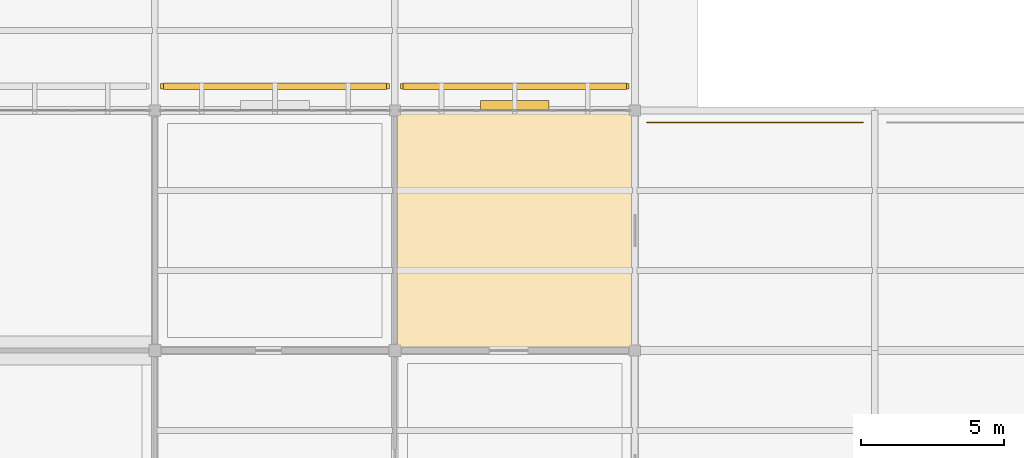
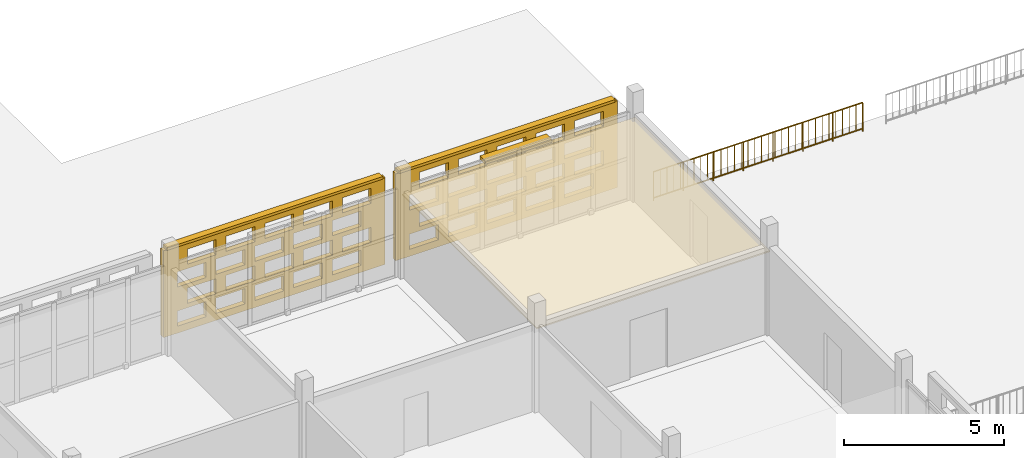
# One storey, part 123 of 166: 3 coverings, 3 shading devices, 1 railing, 40 openings.
"""IFC4 building model written with IfcOpenShell, lengths in metres."""

from ifc_helpers import new_model, si_unit, direction, frame, frame_2d, origin, origin_2d, place, context, subcontext, project, spatial, rectangle, circle, extrude, material, layer, layer_set, type_object, element, save


model = new_model("IFC4")

# Units and contexts
model_context = context("Model", 3, precision=1e-05, world=origin(), true_north=direction((0.0, 1.0)))
body_context = subcontext(model_context, "Body", "Model", "MODEL_VIEW")
ifc_project = project(units=[si_unit("LENGTHUNIT", "METRE"), si_unit("AREAUNIT", "SQUARE_METRE"), si_unit("VOLUMEUNIT", "CUBIC_METRE"), si_unit("PLANEANGLEUNIT", "RADIAN"), si_unit("MASSUNIT", "GRAM", prefix="KILO")], contexts=[model_context])

# Site, building, storey
site_placement = place(None, origin())
site = spatial("IfcSite", under=ifc_project, at=site_placement, CompositionType="ELEMENT")
building_placement = place(site_placement, origin())
building = spatial("IfcBuilding", under=site, at=building_placement, Name="Varnapada Polytechnic", CompositionType="ELEMENT")
storey_placement = place(building_placement, frame((0.0, 0.0, 9.60009765625)))
storey = spatial("IfcBuildingStorey", under=building, at=storey_placement, Name="L02", CompositionType="ELEMENT", Elevation=9.60009765625)

# Shading device
ifc_material_1 = material(Name="Anodised aluminium", Category="aluminium")
ifc_layer_1 = layer(ifc_material_1, 0.35009765625)
ifc_layer_set_1 = layer_set([ifc_layer_1], Name="Anodised aluminium")
shading_device_type_1 = type_object("IfcShadingDeviceType", Name="Solar Louvre LVR-01", PredefinedType="JALOUSIE", material=ifc_layer_set_1)
shading_device_placement = place(storey_placement, frame((54.594970703125, 42.179931640625, 3.159912109375), z_axis=(0.0, 0.0, 1.0), x_axis=(1.0, 0.0, 0.0)))
element("IfcShadingDevice", 1, at=shading_device_placement, inside=storey, type_object=shading_device_type_1, Name="L02 aluminium sun louvre 43", PredefinedType="JALOUSIE", context=body_context, shape_type="SweptSolid", body=[
    extrude(rectangle(XDim=2.39990234375, YDim=0.340087890625, at=origin_2d()), origin(), (0.0, 0.0, 1.0), 0.1201171875),
])

# Covering
ifc_material_2 = material(Name="Perforated Timber Slatted Baffle Ceiling", Category="wood")
ifc_layer_2 = layer(ifc_material_2, 0.050048828125)
ifc_layer_set_2 = layer_set([ifc_layer_2], Name="Perforated Timber Slatted Baffle Ceiling")
covering_type_1 = type_object("IfcCoveringType", Name="Suspended Ceiling CLG-02", PredefinedType="CEILING", material=ifc_layer_set_2)
covering_1_placement = place(storey_placement, frame((54.60009765625, 37.800048828125, 3.02490234375), z_axis=(0.0, 0.0, 1.0), x_axis=(1.0, 0.0, 0.0)))
element("IfcCovering", 2, at=covering_1_placement, inside=storey, type_object=covering_type_1, Name="L02 suspended acoustic ceiling (7,5)", PredefinedType="CEILING", context=body_context, shape_type="SweptSolid", body=[
    extrude(rectangle(XDim=8.419921875, YDim=8.419921875, at=origin_2d()), origin(), (0.0, 0.0, 1.0), 0.050048828125),
])

# Railing
ifc_material_3 = material(Name="Painted galvanized steel", Category="steel")
railing_type = type_object("IfcRailingType", Name="Terrace Guard Rail GRD-01", PredefinedType="BALUSTRADE", material=ifc_material_3)
railing_placement = place(storey_placement, frame((59.219970703125, 41.580078125, 0.0)))
element("IfcRailing", 3, at=railing_placement, inside=storey, type_object=railing_type, Name="L02 terrace perimeter guard rail 2", PredefinedType="BALUSTRADE", context=body_context, shape_type="SweptSolid", body=[
    extrude(circle(Radius=0.02392578125, at=origin_2d()), frame((0.0, 0.0, 1.09619140625), z_axis=(1.0, 0.0, 0.0), x_axis=(0.0, 1.0, 0.0)), (0.0, 0.0, 1.0), 7.56005859375),
    extrude(circle(Radius=0.02392578125, at=origin_2d()), frame((0.0, 0.0, 0.10009765625), z_axis=(1.0, 0.0, 0.0), x_axis=(0.0, 1.0, 0.0)), (0.0, 0.0, 1.0), 7.56005859375),
    extrude(circle(Radius=0.02099609375, at=origin_2d()), origin(), (0.0, 0.0, 1.0), 1.072021484375),
    extrude(circle(Radius=0.02099609375, at=origin_2d()), frame((1.080078125, 0.0, 0.0)), (0.0, 0.0, 1.0), 1.072021484375),
    extrude(circle(Radius=0.02099609375, at=origin_2d()), frame((2.159912109375, 0.0, 0.0)), (0.0, 0.0, 1.0), 1.072021484375),
    extrude(circle(Radius=0.02099609375, at=origin_2d()), frame((3.239990234375, 0.0, 0.0)), (0.0, 0.0, 1.0), 1.072021484375),
    extrude(circle(Radius=0.02099609375, at=origin_2d()), frame((4.320068359375, 0.0, 0.0)), (0.0, 0.0, 1.0), 1.072021484375),
    extrude(circle(Radius=0.02099609375, at=origin_2d()), frame((5.400146484375, 0.0, 0.0)), (0.0, 0.0, 1.0), 1.072021484375),
    extrude(circle(Radius=0.02099609375, at=origin_2d()), frame((6.47998046875, 0.0, 0.0)), (0.0, 0.0, 1.0), 1.072021484375),
    extrude(circle(Radius=0.02099609375, at=origin_2d()), frame((7.56005859375, 0.0, 0.0)), (0.0, 0.0, 1.0), 1.072021484375),
    extrude(circle(Radius=0.010009765625, at=origin_2d()), frame((0.243896484375, 0.0, 0.10009765625)), (0.0, 0.0, 1.0), 0.971923828125),
    extrude(circle(Radius=0.010009765625, at=origin_2d()), frame((0.48779296875, 0.0, 0.10009765625)), (0.0, 0.0, 1.0), 0.971923828125),
    extrude(circle(Radius=0.010009765625, at=origin_2d()), frame((0.731689453125, 0.0, 0.10009765625)), (0.0, 0.0, 1.0), 0.971923828125),
    extrude(circle(Radius=0.010009765625, at=origin_2d()), frame((0.9755859375, 0.0, 0.10009765625)), (0.0, 0.0, 1.0), 0.971923828125),
    extrude(circle(Radius=0.010009765625, at=origin_2d()), frame((1.219482421875, 0.0, 0.10009765625)), (0.0, 0.0, 1.0), 0.971923828125),
    extrude(circle(Radius=0.010009765625, at=origin_2d()), frame((1.463134765625, 0.0, 0.10009765625)), (0.0, 0.0, 1.0), 0.971923828125),
    extrude(circle(Radius=0.010009765625, at=origin_2d()), frame((1.70703125, 0.0, 0.10009765625)), (0.0, 0.0, 1.0), 0.971923828125),
    extrude(circle(Radius=0.010009765625, at=origin_2d()), frame((1.950927734375, 0.0, 0.10009765625)), (0.0, 0.0, 1.0), 0.971923828125),
    extrude(circle(Radius=0.010009765625, at=origin_2d()), frame((2.19482421875, 0.0, 0.10009765625)), (0.0, 0.0, 1.0), 0.971923828125),
    extrude(circle(Radius=0.010009765625, at=origin_2d()), frame((2.438720703125, 0.0, 0.10009765625)), (0.0, 0.0, 1.0), 0.971923828125),
    extrude(circle(Radius=0.010009765625, at=origin_2d()), frame((2.6826171875, 0.0, 0.10009765625)), (0.0, 0.0, 1.0), 0.971923828125),
    extrude(circle(Radius=0.010009765625, at=origin_2d()), frame((2.926513671875, 0.0, 0.10009765625)), (0.0, 0.0, 1.0), 0.971923828125),
    extrude(circle(Radius=0.010009765625, at=origin_2d()), frame((3.17041015625, 0.0, 0.10009765625)), (0.0, 0.0, 1.0), 0.971923828125),
    extrude(circle(Radius=0.010009765625, at=origin_2d()), frame((3.414306640625, 0.0, 0.10009765625)), (0.0, 0.0, 1.0), 0.971923828125),
    extrude(circle(Radius=0.010009765625, at=origin_2d()), frame((3.658203125, 0.0, 0.10009765625)), (0.0, 0.0, 1.0), 0.971923828125),
    extrude(circle(Radius=0.010009765625, at=origin_2d()), frame((3.90185546875, 0.0, 0.10009765625)), (0.0, 0.0, 1.0), 0.971923828125),
    extrude(circle(Radius=0.010009765625, at=origin_2d()), frame((4.145751953125, 0.0, 0.10009765625)), (0.0, 0.0, 1.0), 0.971923828125),
    extrude(circle(Radius=0.010009765625, at=origin_2d()), frame((4.3896484375, 0.0, 0.10009765625)), (0.0, 0.0, 1.0), 0.971923828125),
    extrude(circle(Radius=0.010009765625, at=origin_2d()), frame((4.633544921875, 0.0, 0.10009765625)), (0.0, 0.0, 1.0), 0.971923828125),
    extrude(circle(Radius=0.010009765625, at=origin_2d()), frame((4.87744140625, 0.0, 0.10009765625)), (0.0, 0.0, 1.0), 0.971923828125),
    extrude(circle(Radius=0.010009765625, at=origin_2d()), frame((5.121337890625, 0.0, 0.10009765625)), (0.0, 0.0, 1.0), 0.971923828125),
    extrude(circle(Radius=0.010009765625, at=origin_2d()), frame((5.365234375, 0.0, 0.10009765625)), (0.0, 0.0, 1.0), 0.971923828125),
    extrude(circle(Radius=0.010009765625, at=origin_2d()), frame((5.609130859375, 0.0, 0.10009765625)), (0.0, 0.0, 1.0), 0.971923828125),
    extrude(circle(Radius=0.010009765625, at=origin_2d()), frame((5.85302734375, 0.0, 0.10009765625)), (0.0, 0.0, 1.0), 0.971923828125),
    extrude(circle(Radius=0.010009765625, at=origin_2d()), frame((6.096923828125, 0.0, 0.10009765625)), (0.0, 0.0, 1.0), 0.971923828125),
    extrude(circle(Radius=0.010009765625, at=origin_2d()), frame((6.340576171875, 0.0, 0.10009765625)), (0.0, 0.0, 1.0), 0.971923828125),
    extrude(circle(Radius=0.010009765625, at=origin_2d()), frame((6.58447265625, 0.0, 0.10009765625)), (0.0, 0.0, 1.0), 0.971923828125),
    extrude(circle(Radius=0.010009765625, at=origin_2d()), frame((6.828369140625, 0.0, 0.10009765625)), (0.0, 0.0, 1.0), 0.971923828125),
    extrude(circle(Radius=0.010009765625, at=origin_2d()), frame((7.072265625, 0.0, 0.10009765625)), (0.0, 0.0, 1.0), 0.971923828125),
    extrude(circle(Radius=0.010009765625, at=origin_2d()), frame((7.316162109375, 0.0, 0.10009765625)), (0.0, 0.0, 1.0), 0.971923828125),
])

# Covering, openings
ifc_material_4 = material(Name="Earth-toned architectural terracotta screen block", Category="masonry")
ifc_layer_3 = layer(ifc_material_4, 0.1201171875)
ifc_layer_set_3 = layer_set([ifc_layer_3], Name="Earth-toned architectural terracotta screen block")
covering_type_2 = type_object("IfcCoveringType", Name="Terracotta Screen Cladding CLD-01", PredefinedType="CLADDING", material=ifc_layer_set_3)
covering_2_placement = place(storey_placement, frame((42.199951171875, 42.85009765625, 0.0), z_axis=(0.0, 0.0, 1.0), x_axis=(1.0, 0.0, 0.0)))
covering_2 = element("IfcCovering", 4, at=covering_2_placement, inside=storey, type_object=covering_type_2, Name="L02 perforated terracotta block screen (37)", PredefinedType="CLADDING", context=body_context, shape_type="SweptSolid", body=[
    extrude(rectangle(XDim=8.010009765625, YDim=0.179931640625, at=frame_2d((4.0048828125, 0.0))), origin(), (0.0, 0.0, 1.0), 3.31982421875),
])
opening_1_placement = place(covering_2_placement, frame((0.5048828125, 0.0, 0.265625)))
element("IfcOpeningElement", 5, at=opening_1_placement, cuts=covering_2, Name="Screen perforation TBS-L02-036.1", PredefinedType="OPENING", context=body_context, shape_type="SweptSolid", body=[
    extrude(rectangle(XDim=1.0400390625, YDim=0.5810546875, at=frame_2d((0.52001953125, 0.29052734375))), frame((0.0, 0.099853515625, 0.0), z_axis=(0.0, -1.0, 0.0), x_axis=(1.0, 0.0, 0.0)), (0.0, 0.0, 1.0), 0.199951171875),
])
opening_2_placement = place(covering_2_placement, frame((1.905029296875, 0.0, 0.265625)))
element("IfcOpeningElement", 6, at=opening_2_placement, cuts=covering_2, Name="Screen perforation TBS-L02-036.2", PredefinedType="OPENING", context=body_context, shape_type="SweptSolid", body=[
    extrude(rectangle(XDim=1.0400390625, YDim=0.5810546875, at=frame_2d((0.52001953125, 0.29052734375))), frame((0.0, 0.099853515625, 0.0), z_axis=(0.0, -1.0, 0.0), x_axis=(1.0, 0.0, 0.0)), (0.0, 0.0, 1.0), 0.199951171875),
])
opening_3_placement = place(covering_2_placement, frame((3.304931640625, 0.0, 0.265625)))
element("IfcOpeningElement", 7, at=opening_3_placement, cuts=covering_2, Name="Screen perforation TBS-L02-036.3", PredefinedType="OPENING", context=body_context, shape_type="SweptSolid", body=[
    extrude(rectangle(XDim=1.0400390625, YDim=0.5810546875, at=frame_2d((0.52001953125, 0.29052734375))), frame((0.0, 0.099853515625, 0.0), z_axis=(0.0, -1.0, 0.0), x_axis=(1.0, 0.0, 0.0)), (0.0, 0.0, 1.0), 0.199951171875),
])
opening_4_placement = place(covering_2_placement, frame((4.705078125, 0.0, 0.265625)))
element("IfcOpeningElement", 8, at=opening_4_placement, cuts=covering_2, Name="Screen perforation TBS-L02-036.4", PredefinedType="OPENING", context=body_context, shape_type="SweptSolid", body=[
    extrude(rectangle(XDim=1.0400390625, YDim=0.5810546875, at=frame_2d((0.52001953125, 0.29052734375))), frame((0.0, 0.099853515625, 0.0), z_axis=(0.0, -1.0, 0.0), x_axis=(1.0, 0.0, 0.0)), (0.0, 0.0, 1.0), 0.199951171875),
])
opening_5_placement = place(covering_2_placement, frame((6.10498046875, 0.0, 0.265625)))
element("IfcOpeningElement", 9, at=opening_5_placement, cuts=covering_2, Name="Screen perforation TBS-L02-036.5", PredefinedType="OPENING", context=body_context, shape_type="SweptSolid", body=[
    extrude(rectangle(XDim=1.0400390625, YDim=0.5810546875, at=frame_2d((0.52001953125, 0.29052734375))), frame((0.0, 0.099853515625, 0.0), z_axis=(0.0, -1.0, 0.0), x_axis=(1.0, 0.0, 0.0)), (0.0, 0.0, 1.0), 0.199951171875),
])
opening_6_placement = place(covering_2_placement, frame((0.864990234375, 0.0, 1.0126953125)))
element("IfcOpeningElement", 10, at=opening_6_placement, cuts=covering_2, Name="Screen perforation TBS-L02-036.6", PredefinedType="OPENING", context=body_context, shape_type="SweptSolid", body=[
    extrude(rectangle(XDim=1.0400390625, YDim=0.5810546875, at=frame_2d((0.52001953125, 0.29052734375))), frame((0.0, 0.099853515625, 0.0), z_axis=(0.0, -1.0, 0.0), x_axis=(1.0, 0.0, 0.0)), (0.0, 0.0, 1.0), 0.199951171875),
])
opening_7_placement = place(covering_2_placement, frame((2.264892578125, 0.0, 1.0126953125)))
element("IfcOpeningElement", 11, at=opening_7_placement, cuts=covering_2, Name="Screen perforation TBS-L02-036.7", PredefinedType="OPENING", context=body_context, shape_type="SweptSolid", body=[
    extrude(rectangle(XDim=1.0400390625, YDim=0.5810546875, at=frame_2d((0.52001953125, 0.29052734375))), frame((0.0, 0.099853515625, 0.0), z_axis=(0.0, -1.0, 0.0), x_axis=(1.0, 0.0, 0.0)), (0.0, 0.0, 1.0), 0.199951171875),
])
opening_8_placement = place(covering_2_placement, frame((3.6650390625, 0.0, 1.0126953125)))
element("IfcOpeningElement", 12, at=opening_8_placement, cuts=covering_2, Name="Screen perforation TBS-L02-036.8", PredefinedType="OPENING", context=body_context, shape_type="SweptSolid", body=[
    extrude(rectangle(XDim=1.0400390625, YDim=0.5810546875, at=frame_2d((0.52001953125, 0.29052734375))), frame((0.0, 0.099853515625, 0.0), z_axis=(0.0, -1.0, 0.0), x_axis=(1.0, 0.0, 0.0)), (0.0, 0.0, 1.0), 0.199951171875),
])
opening_9_placement = place(covering_2_placement, frame((5.06494140625, 0.0, 1.0126953125)))
element("IfcOpeningElement", 13, at=opening_9_placement, cuts=covering_2, Name="Screen perforation TBS-L02-036.9", PredefinedType="OPENING", context=body_context, shape_type="SweptSolid", body=[
    extrude(rectangle(XDim=1.0400390625, YDim=0.5810546875, at=frame_2d((0.52001953125, 0.29052734375))), frame((0.0, 0.099853515625, 0.0), z_axis=(0.0, -1.0, 0.0), x_axis=(1.0, 0.0, 0.0)), (0.0, 0.0, 1.0), 0.199951171875),
])
opening_10_placement = place(covering_2_placement, frame((6.465087890625, 0.0, 1.0126953125)))
element("IfcOpeningElement", 14, at=opening_10_placement, cuts=covering_2, Name="Screen perforation TBS-L02-036.10", PredefinedType="OPENING", context=body_context, shape_type="SweptSolid", body=[
    extrude(rectangle(XDim=1.0400390625, YDim=0.5810546875, at=frame_2d((0.52001953125, 0.29052734375))), frame((0.0, 0.099853515625, 0.0), z_axis=(0.0, -1.0, 0.0), x_axis=(1.0, 0.0, 0.0)), (0.0, 0.0, 1.0), 0.199951171875),
])
opening_11_placement = place(covering_2_placement, frame((0.5048828125, 0.0, 1.759521484375)))
element("IfcOpeningElement", 15, at=opening_11_placement, cuts=covering_2, Name="Screen perforation TBS-L02-036.11", PredefinedType="OPENING", context=body_context, shape_type="SweptSolid", body=[
    extrude(rectangle(XDim=1.0400390625, YDim=0.5810546875, at=frame_2d((0.52001953125, 0.29052734375))), frame((0.0, 0.099853515625, 0.0), z_axis=(0.0, -1.0, 0.0), x_axis=(1.0, 0.0, 0.0)), (0.0, 0.0, 1.0), 0.199951171875),
])
opening_12_placement = place(covering_2_placement, frame((1.905029296875, 0.0, 1.759521484375)))
element("IfcOpeningElement", 16, at=opening_12_placement, cuts=covering_2, Name="Screen perforation TBS-L02-036.12", PredefinedType="OPENING", context=body_context, shape_type="SweptSolid", body=[
    extrude(rectangle(XDim=1.0400390625, YDim=0.5810546875, at=frame_2d((0.52001953125, 0.29052734375))), frame((0.0, 0.099853515625, 0.0), z_axis=(0.0, -1.0, 0.0), x_axis=(1.0, 0.0, 0.0)), (0.0, 0.0, 1.0), 0.199951171875),
])
opening_13_placement = place(covering_2_placement, frame((3.304931640625, 0.0, 1.759521484375)))
element("IfcOpeningElement", 17, at=opening_13_placement, cuts=covering_2, Name="Screen perforation TBS-L02-036.13", PredefinedType="OPENING", context=body_context, shape_type="SweptSolid", body=[
    extrude(rectangle(XDim=1.0400390625, YDim=0.5810546875, at=frame_2d((0.52001953125, 0.29052734375))), frame((0.0, 0.099853515625, 0.0), z_axis=(0.0, -1.0, 0.0), x_axis=(1.0, 0.0, 0.0)), (0.0, 0.0, 1.0), 0.199951171875),
])
opening_14_placement = place(covering_2_placement, frame((4.705078125, 0.0, 1.759521484375)))
element("IfcOpeningElement", 18, at=opening_14_placement, cuts=covering_2, Name="Screen perforation TBS-L02-036.14", PredefinedType="OPENING", context=body_context, shape_type="SweptSolid", body=[
    extrude(rectangle(XDim=1.0400390625, YDim=0.5810546875, at=frame_2d((0.52001953125, 0.29052734375))), frame((0.0, 0.099853515625, 0.0), z_axis=(0.0, -1.0, 0.0), x_axis=(1.0, 0.0, 0.0)), (0.0, 0.0, 1.0), 0.199951171875),
])
opening_15_placement = place(covering_2_placement, frame((6.10498046875, 0.0, 1.759521484375)))
element("IfcOpeningElement", 19, at=opening_15_placement, cuts=covering_2, Name="Screen perforation TBS-L02-036.15", PredefinedType="OPENING", context=body_context, shape_type="SweptSolid", body=[
    extrude(rectangle(XDim=1.0400390625, YDim=0.5810546875, at=frame_2d((0.52001953125, 0.29052734375))), frame((0.0, 0.099853515625, 0.0), z_axis=(0.0, -1.0, 0.0), x_axis=(1.0, 0.0, 0.0)), (0.0, 0.0, 1.0), 0.199951171875),
])
opening_16_placement = place(covering_2_placement, frame((0.864990234375, 0.0, 2.506591796875)))
element("IfcOpeningElement", 20, at=opening_16_placement, cuts=covering_2, Name="Screen perforation TBS-L02-036.16", PredefinedType="OPENING", context=body_context, shape_type="SweptSolid", body=[
    extrude(rectangle(XDim=1.0400390625, YDim=0.5810546875, at=frame_2d((0.52001953125, 0.29052734375))), frame((0.0, 0.099853515625, 0.0), z_axis=(0.0, -1.0, 0.0), x_axis=(1.0, 0.0, 0.0)), (0.0, 0.0, 1.0), 0.199951171875),
])
opening_17_placement = place(covering_2_placement, frame((2.264892578125, 0.0, 2.506591796875)))
element("IfcOpeningElement", 21, at=opening_17_placement, cuts=covering_2, Name="Screen perforation TBS-L02-036.17", PredefinedType="OPENING", context=body_context, shape_type="SweptSolid", body=[
    extrude(rectangle(XDim=1.0400390625, YDim=0.5810546875, at=frame_2d((0.52001953125, 0.29052734375))), frame((0.0, 0.099853515625, 0.0), z_axis=(0.0, -1.0, 0.0), x_axis=(1.0, 0.0, 0.0)), (0.0, 0.0, 1.0), 0.199951171875),
])
opening_18_placement = place(covering_2_placement, frame((3.6650390625, 0.0, 2.506591796875)))
element("IfcOpeningElement", 22, at=opening_18_placement, cuts=covering_2, Name="Screen perforation TBS-L02-036.18", PredefinedType="OPENING", context=body_context, shape_type="SweptSolid", body=[
    extrude(rectangle(XDim=1.0400390625, YDim=0.5810546875, at=frame_2d((0.52001953125, 0.29052734375))), frame((0.0, 0.099853515625, 0.0), z_axis=(0.0, -1.0, 0.0), x_axis=(1.0, 0.0, 0.0)), (0.0, 0.0, 1.0), 0.199951171875),
])
opening_19_placement = place(covering_2_placement, frame((5.06494140625, 0.0, 2.506591796875)))
element("IfcOpeningElement", 23, at=opening_19_placement, cuts=covering_2, Name="Screen perforation TBS-L02-036.19", PredefinedType="OPENING", context=body_context, shape_type="SweptSolid", body=[
    extrude(rectangle(XDim=1.0400390625, YDim=0.5810546875, at=frame_2d((0.52001953125, 0.29052734375))), frame((0.0, 0.099853515625, 0.0), z_axis=(0.0, -1.0, 0.0), x_axis=(1.0, 0.0, 0.0)), (0.0, 0.0, 1.0), 0.199951171875),
])
opening_20_placement = place(covering_2_placement, frame((6.465087890625, 0.0, 2.506591796875)))
element("IfcOpeningElement", 24, at=opening_20_placement, cuts=covering_2, Name="Screen perforation TBS-L02-036.20", PredefinedType="OPENING", context=body_context, shape_type="SweptSolid", body=[
    extrude(rectangle(XDim=1.0400390625, YDim=0.5810546875, at=frame_2d((0.52001953125, 0.29052734375))), frame((0.0, 0.099853515625, 0.0), z_axis=(0.0, -1.0, 0.0), x_axis=(1.0, 0.0, 0.0)), (0.0, 0.0, 1.0), 0.199951171875),
])

covering_3_placement = place(storey_placement, frame((50.590087890625, 42.85009765625, 0.0), z_axis=(0.0, 0.0, 1.0), x_axis=(1.0, 0.0, 0.0)))
covering_3 = element("IfcCovering", 25, at=covering_3_placement, inside=storey, type_object=covering_type_2, Name="L02 perforated terracotta block screen (43)", PredefinedType="CLADDING", context=body_context, shape_type="SweptSolid", body=[
    extrude(rectangle(XDim=8.010009765625, YDim=0.179931640625, at=frame_2d((4.0048828125, 0.0))), origin(), (0.0, 0.0, 1.0), 3.31982421875),
])
opening_21_placement = place(covering_3_placement, frame((0.5048828125, 0.0, 0.265625)))
element("IfcOpeningElement", 26, at=opening_21_placement, cuts=covering_3, Name="Screen perforation TBS-L02-042.1", PredefinedType="OPENING", context=body_context, shape_type="SweptSolid", body=[
    extrude(rectangle(XDim=1.0400390625, YDim=0.5810546875, at=frame_2d((0.52001953125, 0.29052734375))), frame((0.0, 0.099853515625, 0.0), z_axis=(0.0, -1.0, 0.0), x_axis=(1.0, 0.0, 0.0)), (0.0, 0.0, 1.0), 0.199951171875),
])
opening_22_placement = place(covering_3_placement, frame((1.905029296875, 0.0, 0.265625)))
element("IfcOpeningElement", 27, at=opening_22_placement, cuts=covering_3, Name="Screen perforation TBS-L02-042.2", PredefinedType="OPENING", context=body_context, shape_type="SweptSolid", body=[
    extrude(rectangle(XDim=1.0400390625, YDim=0.5810546875, at=frame_2d((0.52001953125, 0.29052734375))), frame((0.0, 0.099853515625, 0.0), z_axis=(0.0, -1.0, 0.0), x_axis=(1.0, 0.0, 0.0)), (0.0, 0.0, 1.0), 0.199951171875),
])
opening_23_placement = place(covering_3_placement, frame((3.304931640625, 0.0, 0.265625)))
element("IfcOpeningElement", 28, at=opening_23_placement, cuts=covering_3, Name="Screen perforation TBS-L02-042.3", PredefinedType="OPENING", context=body_context, shape_type="SweptSolid", body=[
    extrude(rectangle(XDim=1.0400390625, YDim=0.5810546875, at=frame_2d((0.52001953125, 0.29052734375))), frame((0.0, 0.099853515625, 0.0), z_axis=(0.0, -1.0, 0.0), x_axis=(1.0, 0.0, 0.0)), (0.0, 0.0, 1.0), 0.199951171875),
])
opening_24_placement = place(covering_3_placement, frame((4.705078125, 0.0, 0.265625)))
element("IfcOpeningElement", 29, at=opening_24_placement, cuts=covering_3, Name="Screen perforation TBS-L02-042.4", PredefinedType="OPENING", context=body_context, shape_type="SweptSolid", body=[
    extrude(rectangle(XDim=1.0400390625, YDim=0.5810546875, at=frame_2d((0.52001953125, 0.29052734375))), frame((0.0, 0.099853515625, 0.0), z_axis=(0.0, -1.0, 0.0), x_axis=(1.0, 0.0, 0.0)), (0.0, 0.0, 1.0), 0.199951171875),
])
opening_25_placement = place(covering_3_placement, frame((6.10498046875, 0.0, 0.265625)))
element("IfcOpeningElement", 30, at=opening_25_placement, cuts=covering_3, Name="Screen perforation TBS-L02-042.5", PredefinedType="OPENING", context=body_context, shape_type="SweptSolid", body=[
    extrude(rectangle(XDim=1.0400390625, YDim=0.5810546875, at=frame_2d((0.52001953125, 0.29052734375))), frame((0.0, 0.099853515625, 0.0), z_axis=(0.0, -1.0, 0.0), x_axis=(1.0, 0.0, 0.0)), (0.0, 0.0, 1.0), 0.199951171875),
])
opening_26_placement = place(covering_3_placement, frame((0.864990234375, 0.0, 1.0126953125)))
element("IfcOpeningElement", 31, at=opening_26_placement, cuts=covering_3, Name="Screen perforation TBS-L02-042.6", PredefinedType="OPENING", context=body_context, shape_type="SweptSolid", body=[
    extrude(rectangle(XDim=1.0400390625, YDim=0.5810546875, at=frame_2d((0.52001953125, 0.29052734375))), frame((0.0, 0.099853515625, 0.0), z_axis=(0.0, -1.0, 0.0), x_axis=(1.0, 0.0, 0.0)), (0.0, 0.0, 1.0), 0.199951171875),
])
opening_27_placement = place(covering_3_placement, frame((2.264892578125, 0.0, 1.0126953125)))
element("IfcOpeningElement", 32, at=opening_27_placement, cuts=covering_3, Name="Screen perforation TBS-L02-042.7", PredefinedType="OPENING", context=body_context, shape_type="SweptSolid", body=[
    extrude(rectangle(XDim=1.0400390625, YDim=0.5810546875, at=frame_2d((0.52001953125, 0.29052734375))), frame((0.0, 0.099853515625, 0.0), z_axis=(0.0, -1.0, 0.0), x_axis=(1.0, 0.0, 0.0)), (0.0, 0.0, 1.0), 0.199951171875),
])
opening_28_placement = place(covering_3_placement, frame((3.6650390625, 0.0, 1.0126953125)))
element("IfcOpeningElement", 33, at=opening_28_placement, cuts=covering_3, Name="Screen perforation TBS-L02-042.8", PredefinedType="OPENING", context=body_context, shape_type="SweptSolid", body=[
    extrude(rectangle(XDim=1.0400390625, YDim=0.5810546875, at=frame_2d((0.52001953125, 0.29052734375))), frame((0.0, 0.099853515625, 0.0), z_axis=(0.0, -1.0, 0.0), x_axis=(1.0, 0.0, 0.0)), (0.0, 0.0, 1.0), 0.199951171875),
])
opening_29_placement = place(covering_3_placement, frame((5.06494140625, 0.0, 1.0126953125)))
element("IfcOpeningElement", 34, at=opening_29_placement, cuts=covering_3, Name="Screen perforation TBS-L02-042.9", PredefinedType="OPENING", context=body_context, shape_type="SweptSolid", body=[
    extrude(rectangle(XDim=1.0400390625, YDim=0.5810546875, at=frame_2d((0.52001953125, 0.29052734375))), frame((0.0, 0.099853515625, 0.0), z_axis=(0.0, -1.0, 0.0), x_axis=(1.0, 0.0, 0.0)), (0.0, 0.0, 1.0), 0.199951171875),
])
opening_30_placement = place(covering_3_placement, frame((6.465087890625, 0.0, 1.0126953125)))
element("IfcOpeningElement", 35, at=opening_30_placement, cuts=covering_3, Name="Screen perforation TBS-L02-042.10", PredefinedType="OPENING", context=body_context, shape_type="SweptSolid", body=[
    extrude(rectangle(XDim=1.0400390625, YDim=0.5810546875, at=frame_2d((0.52001953125, 0.29052734375))), frame((0.0, 0.099853515625, 0.0), z_axis=(0.0, -1.0, 0.0), x_axis=(1.0, 0.0, 0.0)), (0.0, 0.0, 1.0), 0.199951171875),
])
opening_31_placement = place(covering_3_placement, frame((0.5048828125, 0.0, 1.759521484375)))
element("IfcOpeningElement", 36, at=opening_31_placement, cuts=covering_3, Name="Screen perforation TBS-L02-042.11", PredefinedType="OPENING", context=body_context, shape_type="SweptSolid", body=[
    extrude(rectangle(XDim=1.0400390625, YDim=0.5810546875, at=frame_2d((0.52001953125, 0.29052734375))), frame((0.0, 0.099853515625, 0.0), z_axis=(0.0, -1.0, 0.0), x_axis=(1.0, 0.0, 0.0)), (0.0, 0.0, 1.0), 0.199951171875),
])
opening_32_placement = place(covering_3_placement, frame((1.905029296875, 0.0, 1.759521484375)))
element("IfcOpeningElement", 37, at=opening_32_placement, cuts=covering_3, Name="Screen perforation TBS-L02-042.12", PredefinedType="OPENING", context=body_context, shape_type="SweptSolid", body=[
    extrude(rectangle(XDim=1.0400390625, YDim=0.5810546875, at=frame_2d((0.52001953125, 0.29052734375))), frame((0.0, 0.099853515625, 0.0), z_axis=(0.0, -1.0, 0.0), x_axis=(1.0, 0.0, 0.0)), (0.0, 0.0, 1.0), 0.199951171875),
])
opening_33_placement = place(covering_3_placement, frame((3.304931640625, 0.0, 1.759521484375)))
element("IfcOpeningElement", 38, at=opening_33_placement, cuts=covering_3, Name="Screen perforation TBS-L02-042.13", PredefinedType="OPENING", context=body_context, shape_type="SweptSolid", body=[
    extrude(rectangle(XDim=1.0400390625, YDim=0.5810546875, at=frame_2d((0.52001953125, 0.29052734375))), frame((0.0, 0.099853515625, 0.0), z_axis=(0.0, -1.0, 0.0), x_axis=(1.0, 0.0, 0.0)), (0.0, 0.0, 1.0), 0.199951171875),
])
opening_34_placement = place(covering_3_placement, frame((4.705078125, 0.0, 1.759521484375)))
element("IfcOpeningElement", 39, at=opening_34_placement, cuts=covering_3, Name="Screen perforation TBS-L02-042.14", PredefinedType="OPENING", context=body_context, shape_type="SweptSolid", body=[
    extrude(rectangle(XDim=1.0400390625, YDim=0.5810546875, at=frame_2d((0.52001953125, 0.29052734375))), frame((0.0, 0.099853515625, 0.0), z_axis=(0.0, -1.0, 0.0), x_axis=(1.0, 0.0, 0.0)), (0.0, 0.0, 1.0), 0.199951171875),
])
opening_35_placement = place(covering_3_placement, frame((6.10498046875, 0.0, 1.759521484375)))
element("IfcOpeningElement", 40, at=opening_35_placement, cuts=covering_3, Name="Screen perforation TBS-L02-042.15", PredefinedType="OPENING", context=body_context, shape_type="SweptSolid", body=[
    extrude(rectangle(XDim=1.0400390625, YDim=0.5810546875, at=frame_2d((0.52001953125, 0.29052734375))), frame((0.0, 0.099853515625, 0.0), z_axis=(0.0, -1.0, 0.0), x_axis=(1.0, 0.0, 0.0)), (0.0, 0.0, 1.0), 0.199951171875),
])
opening_36_placement = place(covering_3_placement, frame((0.864990234375, 0.0, 2.506591796875)))
element("IfcOpeningElement", 41, at=opening_36_placement, cuts=covering_3, Name="Screen perforation TBS-L02-042.16", PredefinedType="OPENING", context=body_context, shape_type="SweptSolid", body=[
    extrude(rectangle(XDim=1.0400390625, YDim=0.5810546875, at=frame_2d((0.52001953125, 0.29052734375))), frame((0.0, 0.099853515625, 0.0), z_axis=(0.0, -1.0, 0.0), x_axis=(1.0, 0.0, 0.0)), (0.0, 0.0, 1.0), 0.199951171875),
])
opening_37_placement = place(covering_3_placement, frame((2.264892578125, 0.0, 2.506591796875)))
element("IfcOpeningElement", 42, at=opening_37_placement, cuts=covering_3, Name="Screen perforation TBS-L02-042.17", PredefinedType="OPENING", context=body_context, shape_type="SweptSolid", body=[
    extrude(rectangle(XDim=1.0400390625, YDim=0.5810546875, at=frame_2d((0.52001953125, 0.29052734375))), frame((0.0, 0.099853515625, 0.0), z_axis=(0.0, -1.0, 0.0), x_axis=(1.0, 0.0, 0.0)), (0.0, 0.0, 1.0), 0.199951171875),
])
opening_38_placement = place(covering_3_placement, frame((3.6650390625, 0.0, 2.506591796875)))
element("IfcOpeningElement", 43, at=opening_38_placement, cuts=covering_3, Name="Screen perforation TBS-L02-042.18", PredefinedType="OPENING", context=body_context, shape_type="SweptSolid", body=[
    extrude(rectangle(XDim=1.0400390625, YDim=0.5810546875, at=frame_2d((0.52001953125, 0.29052734375))), frame((0.0, 0.099853515625, 0.0), z_axis=(0.0, -1.0, 0.0), x_axis=(1.0, 0.0, 0.0)), (0.0, 0.0, 1.0), 0.199951171875),
])
opening_39_placement = place(covering_3_placement, frame((5.06494140625, 0.0, 2.506591796875)))
element("IfcOpeningElement", 44, at=opening_39_placement, cuts=covering_3, Name="Screen perforation TBS-L02-042.19", PredefinedType="OPENING", context=body_context, shape_type="SweptSolid", body=[
    extrude(rectangle(XDim=1.0400390625, YDim=0.5810546875, at=frame_2d((0.52001953125, 0.29052734375))), frame((0.0, 0.099853515625, 0.0), z_axis=(0.0, -1.0, 0.0), x_axis=(1.0, 0.0, 0.0)), (0.0, 0.0, 1.0), 0.199951171875),
])
opening_40_placement = place(covering_3_placement, frame((6.465087890625, 0.0, 2.506591796875)))
element("IfcOpeningElement", 45, at=opening_40_placement, cuts=covering_3, Name="Screen perforation TBS-L02-042.20", PredefinedType="OPENING", context=body_context, shape_type="SweptSolid", body=[
    extrude(rectangle(XDim=1.0400390625, YDim=0.5810546875, at=frame_2d((0.52001953125, 0.29052734375))), frame((0.0, 0.099853515625, 0.0), z_axis=(0.0, -1.0, 0.0), x_axis=(1.0, 0.0, 0.0)), (0.0, 0.0, 1.0), 0.199951171875),
])

# Shading devices
ifc_layer_4 = layer(ifc_material_4, 0.179931640625)
ifc_layer_set_4 = layer_set([ifc_layer_4], Name="Earth-toned architectural terracotta screen block")
shading_device_type_2 = type_object("IfcShadingDeviceType", Name="Terracotta Screen SCR-01", PredefinedType="USERDEFINED", material=ifc_layer_set_4)
for number, where, z_axis, x_axis, name in (
    (46, (46.205078125, 42.85009765625, 3.309814453125), (0.0, 0.0, 1.0), (1.0, 0.0, 0.0), "L02 perforated terracotta screen hood 266"),
    (47, (54.594970703125, 42.85009765625, 3.309814453125), (0.0, 0.0, 1.0), (1.0, 0.0, 0.0), "L02 perforated terracotta screen hood 271"),
):
    element("IfcShadingDevice", number, at=place(storey_placement, frame(where, z_axis=z_axis, x_axis=x_axis)), inside=storey, type_object=shading_device_type_2, Name=name, ObjectType="SCREEN", PredefinedType="USERDEFINED", context=body_context, shape_type="SweptSolid", body=[
        extrude(rectangle(XDim=7.81005859375, YDim=0.239990234375, at=origin_2d()), origin(), (0.0, 0.0, 1.0), 0.10009765625),
    ])

save(model, "model.ifc")
